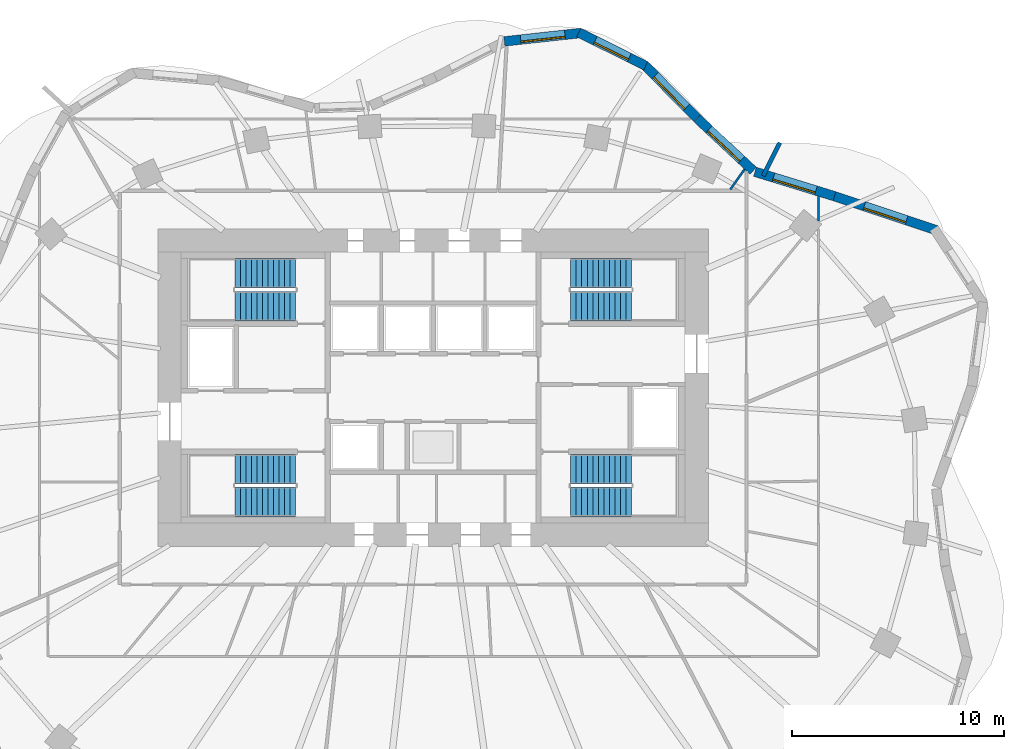
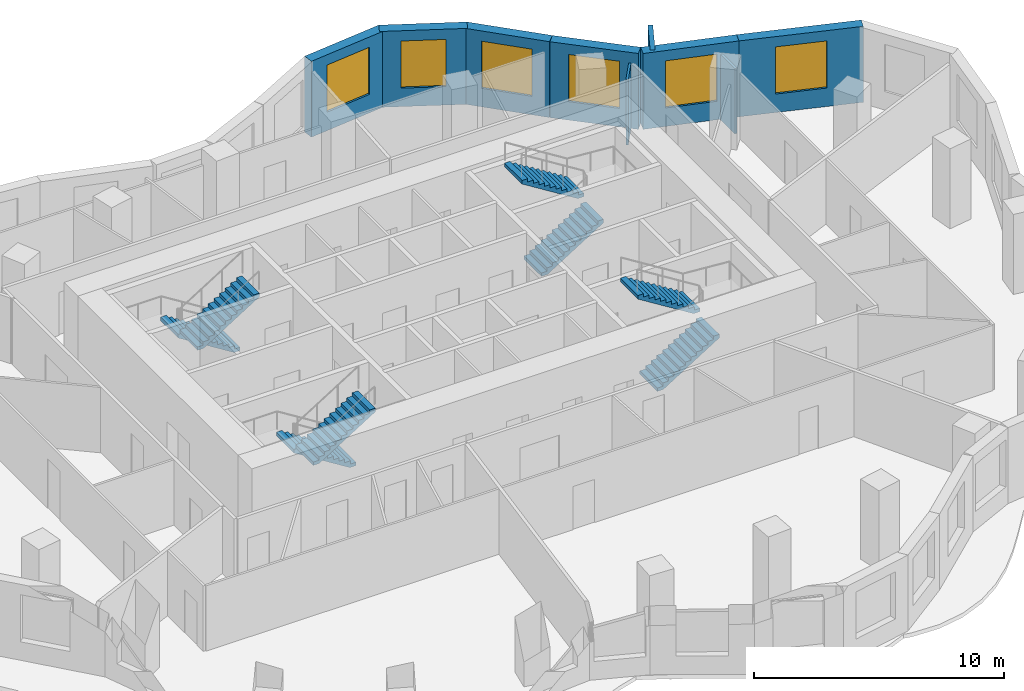
# One storey, part 8 of 10: 9 walls, 8 stair flights, 6 windows, 6 openings, 4 elements without a shape of their own.
"""IFC4 building model written with IfcOpenShell, lengths in metres."""

from ifc_helpers import new_model, si_unit, direction, frame, frame_2d, origin, place, context, subcontext, project, spatial, polyline, rectangle, outline, extrude, material, layer, layer_set, type_object, element, fill, aggregate, save


model = new_model("IFC4")

# Units and contexts
model_context = context("Model", 3, precision=1e-05, world=origin(), true_north=direction((0.0, 1.0)))
body_context = subcontext(model_context, "Body", "Model", "MODEL_VIEW")
ifc_project = project(units=[si_unit("LENGTHUNIT", "METRE"), si_unit("AREAUNIT", "SQUARE_METRE"), si_unit("VOLUMEUNIT", "CUBIC_METRE"), si_unit("PLANEANGLEUNIT", "RADIAN"), si_unit("MASSUNIT", "GRAM", prefix="KILO")], contexts=[model_context])

# Site, building, storey
site_placement = place(None, origin())
site = spatial("IfcSite", under=ifc_project, at=site_placement, CompositionType="ELEMENT")
building_placement = place(site_placement, origin())
building = spatial("IfcBuilding", under=site, at=building_placement, Name="Rubra Terraces Tower", CompositionType="ELEMENT")
storey_placement = place(building_placement, frame((0.0, 0.0, 134.39990234375)))
storey = spatial("IfcBuildingStorey", under=building, at=storey_placement, Name="L32", CompositionType="ELEMENT", Elevation=134.39990234375)

# Wall, opening, window
ifc_material_1 = material(Name="Brick masonry red-brown", Category="masonry")
ifc_layer_1 = layer(ifc_material_1, 0.449951171875)
ifc_layer_set_1 = layer_set([ifc_layer_1], Name="Brick masonry red-brown")
wall_type_1 = type_object("IfcWallType", Name="Brick facade wall 450", PredefinedType="SOLIDWALL", material=ifc_layer_set_1)
wall_1_placement = place(storey_placement, frame((23.769775390625, 11.93798828125, 0.0), z_axis=(0.0, 0.0, 1.0), x_axis=(-0.948673679101, 0.316256621402, 0.0)))
wall_1 = element("IfcWall", 1, at=wall_1_placement, inside=storey, type_object=wall_type_1, Name="Facade wall L32 bay 4", PredefinedType="SOLIDWALL", context=body_context, shape_type="SweptSolid", body=[
    extrude(rectangle(XDim=5.076416015625, YDim=0.449951171875, at=frame_2d((2.5380859375, 0.0))), origin(), (0.0, 0.0, 1.0), 3.7001953125),
])
opening_1_placement = place(wall_1_placement, frame((1.48828125, 0.0, 0.89990234375)))
opening_1 = element("IfcOpeningElement", 2, at=opening_1_placement, cuts=wall_1, Name="Opening W1B", PredefinedType="OPENING", context=body_context, shape_type="SweptSolid", body=[
    extrude(rectangle(XDim=2.10009765625, YDim=2.300048828125, at=frame_2d((1.050048828125, 1.14990234375))), frame((0.0, 0.23486328125, 0.0), z_axis=(0.0, -1.0, 0.0), x_axis=(1.0, 0.0, 0.0)), (0.0, 0.0, 1.0), 0.469970703125),
])
ifc_material_2 = material(Name="Clear glass in aluminium frame", Category="aluminium")
window_type_1 = type_object("IfcWindowType", Name="Fixed deep-set window tall storey 2100 x 2300", PartitioningType="SINGLE_PANEL", PredefinedType="WINDOW", material=ifc_material_2)
window_1_placement = place(opening_1_placement, origin())
window_1 = element("IfcWindow", 3, at=window_1_placement, inside=storey, type_object=window_type_1, Name="Window L32 bay 4", OverallHeight=2.300048828125, OverallWidth=2.10009765625, PartitioningType="SINGLE_PANEL", PredefinedType="WINDOW", context=body_context, shape_type="SweptSolid", body=[
    extrude(rectangle(XDim=2.10009765625, YDim=2.300048828125, at=frame_2d((1.050048828125, 1.14990234375))), frame((0.0, 0.135009765625, 0.0), z_axis=(0.0, -1.0, 0.0), x_axis=(1.0, 0.0, 0.0)), (0.0, 0.0, 1.0), 0.06005859375),
])
fill(opening_1, window_1)

wall_2_placement = place(storey_placement, frame((18.95751953125, 13.542236328125, 0.0), z_axis=(0.0, 0.0, 1.0), x_axis=(-0.955792437529, 0.294042201668, 0.0)))
wall_2 = element("IfcWall", 4, at=wall_2_placement, inside=storey, type_object=wall_type_1, Name="Facade wall L32 bay 5", PredefinedType="SOLIDWALL", context=body_context, shape_type="SweptSolid", body=[
    extrude(rectangle(XDim=3.9306640625, YDim=0.449951171875, at=frame_2d((1.96533203125, 0.0))), origin(), (0.0, 0.0, 1.0), 3.7001953125),
])
opening_2_placement = place(wall_2_placement, frame((0.915283203125, 0.0, 0.89990234375)))
opening_2 = element("IfcOpeningElement", 5, at=opening_2_placement, cuts=wall_2, Name="Opening W1B", PredefinedType="OPENING", context=body_context, shape_type="SweptSolid", body=[
    extrude(rectangle(XDim=2.10009765625, YDim=2.300048828125, at=frame_2d((1.050048828125, 1.14990234375))), frame((0.0, 0.23486328125, 0.0), z_axis=(0.0, -1.0, 0.0), x_axis=(1.0, 0.0, 0.0)), (0.0, 0.0, 1.0), 0.469970703125),
])
window_2_placement = place(opening_2_placement, origin())
window_2 = element("IfcWindow", 6, at=window_2_placement, inside=storey, type_object=window_type_1, Name="Window L32 bay 5", OverallHeight=2.300048828125, OverallWidth=2.10009765625, PartitioningType="SINGLE_PANEL", PredefinedType="WINDOW", context=body_context, shape_type="SweptSolid", body=[
    extrude(rectangle(XDim=2.10009765625, YDim=2.300048828125, at=frame_2d((1.050048828125, 1.14990234375))), frame((0.0, 0.135009765625, 0.0), z_axis=(0.0, -1.0, 0.0), x_axis=(1.0, 0.0, 0.0)), (0.0, 0.0, 1.0), 0.06005859375),
])
fill(opening_2, window_2)

wall_3_placement = place(storey_placement, frame((15.120849609375, 14.744873046875, 0.0), z_axis=(0.0, 0.0, 1.0), x_axis=(-0.730618259172, 0.68278617397, 0.0)))
wall_3 = element("IfcWall", 7, at=wall_3_placement, inside=storey, type_object=wall_type_1, Name="Facade wall L32 bay 6", PredefinedType="SOLIDWALL", context=body_context, shape_type="SweptSolid", body=[
    extrude(rectangle(XDim=3.6240234375, YDim=0.449951171875, at=frame_2d((1.81201171875, 0.0))), origin(), (0.0, 0.0, 1.0), 3.7001953125),
])
opening_3_placement = place(wall_3_placement, frame((0.76220703125, 0.0, 0.89990234375)))
opening_3 = element("IfcOpeningElement", 8, at=opening_3_placement, cuts=wall_3, Name="Opening W1B", PredefinedType="OPENING", context=body_context, shape_type="SweptSolid", body=[
    extrude(rectangle(XDim=2.10009765625, YDim=2.300048828125, at=frame_2d((1.050048828125, 1.14990234375))), frame((0.0, 0.23486328125, 0.0), z_axis=(0.0, -1.0, 0.0), x_axis=(1.0, 0.0, 0.0)), (0.0, 0.0, 1.0), 0.469970703125),
])
window_3_placement = place(opening_3_placement, origin())
window_3 = element("IfcWindow", 9, at=window_3_placement, inside=storey, type_object=window_type_1, Name="Window L32 bay 6", OverallHeight=2.300048828125, OverallWidth=2.10009765625, PartitioningType="SINGLE_PANEL", PredefinedType="WINDOW", context=body_context, shape_type="SweptSolid", body=[
    extrude(rectangle(XDim=2.10009765625, YDim=2.300048828125, at=frame_2d((1.050048828125, 1.14990234375))), frame((0.0, 0.135009765625, 0.0), z_axis=(0.0, -1.0, 0.0), x_axis=(1.0, 0.0, 0.0)), (0.0, 0.0, 1.0), 0.06005859375),
])
fill(opening_3, window_3)

wall_4_placement = place(storey_placement, frame((12.46630859375, 17.2255859375, 0.0), z_axis=(0.0, 0.0, 1.0), x_axis=(-0.701875966769, 0.712299183821, 0.0)))
wall_4 = element("IfcWall", 10, at=wall_4_placement, inside=storey, type_object=wall_type_1, Name="Facade wall L32 bay 7", PredefinedType="SOLIDWALL", context=body_context, shape_type="SweptSolid", body=[
    extrude(rectangle(XDim=3.536865234375, YDim=0.449951171875, at=frame_2d((1.7685546875, 0.0))), origin(), (0.0, 0.0, 1.0), 3.7001953125),
])
opening_4_placement = place(wall_4_placement, frame((0.71826171875, 0.0, 0.89990234375)))
opening_4 = element("IfcOpeningElement", 11, at=opening_4_placement, cuts=wall_4, Name="Opening W1B", PredefinedType="OPENING", context=body_context, shape_type="SweptSolid", body=[
    extrude(rectangle(XDim=2.10009765625, YDim=2.300048828125, at=frame_2d((1.050048828125, 1.14990234375))), frame((0.0, 0.23486328125, 0.0), z_axis=(0.0, -1.0, 0.0), x_axis=(1.0, 0.0, 0.0)), (0.0, 0.0, 1.0), 0.469970703125),
])
window_4_placement = place(opening_4_placement, origin())
window_4 = element("IfcWindow", 12, at=window_4_placement, inside=storey, type_object=window_type_1, Name="Window L32 bay 7", OverallHeight=2.300048828125, OverallWidth=2.10009765625, PartitioningType="SINGLE_PANEL", PredefinedType="WINDOW", context=body_context, shape_type="SweptSolid", body=[
    extrude(rectangle(XDim=2.10009765625, YDim=2.300048828125, at=frame_2d((1.050048828125, 1.14990234375))), frame((0.0, 0.135009765625, 0.0), z_axis=(0.0, -1.0, 0.0), x_axis=(1.0, 0.0, 0.0)), (0.0, 0.0, 1.0), 0.06005859375),
])
fill(opening_4, window_4)

wall_5_placement = place(storey_placement, frame((10.041748046875, 19.70361328125, 0.0), z_axis=(0.0, 0.0, 1.0), x_axis=(-0.895268695224, 0.445526613517, 0.0)))
wall_5 = element("IfcWall", 13, at=wall_5_placement, inside=storey, type_object=wall_type_1, Name="Facade wall L32 bay 8", PredefinedType="SOLIDWALL", context=body_context, shape_type="SweptSolid", body=[
    extrude(rectangle(XDim=3.532958984375, YDim=0.449951171875, at=frame_2d((1.7666015625, 0.0))), origin(), (0.0, 0.0, 1.0), 3.7001953125),
])
opening_5_placement = place(wall_5_placement, frame((0.866455078125, 0.0, 0.89990234375)))
opening_5 = element("IfcOpeningElement", 14, at=opening_5_placement, cuts=wall_5, Name="Opening W6B", PredefinedType="OPENING", context=body_context, shape_type="SweptSolid", body=[
    extrude(rectangle(XDim=1.800048828125, YDim=2.300048828125, at=frame_2d((0.89990234375, 1.14990234375))), frame((0.0, 0.23486328125, 0.0), z_axis=(0.0, -1.0, 0.0), x_axis=(1.0, 0.0, 0.0)), (0.0, 0.0, 1.0), 0.469970703125),
])
window_type_2 = type_object("IfcWindowType", Name="Fixed deep-set window at wind fin tall storey 1800 x 2300", PartitioningType="SINGLE_PANEL", PredefinedType="WINDOW", material=ifc_material_2)
window_5_placement = place(opening_5_placement, origin())
window_5 = element("IfcWindow", 15, at=window_5_placement, inside=storey, type_object=window_type_2, Name="Window L32 bay 8", OverallHeight=2.300048828125, OverallWidth=1.800048828125, PartitioningType="SINGLE_PANEL", PredefinedType="WINDOW", context=body_context, shape_type="SweptSolid", body=[
    extrude(rectangle(XDim=1.800048828125, YDim=2.300048828125, at=frame_2d((0.89990234375, 1.14990234375))), frame((0.0, 0.135009765625, 0.0), z_axis=(0.0, -1.0, 0.0), x_axis=(1.0, 0.0, 0.0)), (0.0, 0.0, 1.0), 0.06005859375),
])
fill(opening_5, window_5)

wall_6_placement = place(storey_placement, frame((7.00341796875, 21.25537109375, 0.0), z_axis=(0.0, 0.0, 1.0), x_axis=(-0.99407653264, -0.108682322638, 0.0)))
wall_6 = element("IfcWall", 16, at=wall_6_placement, inside=storey, type_object=wall_type_1, Name="Facade wall L32 bay 9", PredefinedType="SOLIDWALL", context=body_context, shape_type="SweptSolid", body=[
    extrude(rectangle(XDim=3.66162109375, YDim=0.449951171875, at=frame_2d((1.830810546875, 0.0))), origin(), (0.0, 0.0, 1.0), 3.7001953125),
])
opening_6_placement = place(wall_6_placement, frame((0.78076171875, 0.0, 0.89990234375)))
opening_6 = element("IfcOpeningElement", 17, at=opening_6_placement, cuts=wall_6, Name="Opening W1B", PredefinedType="OPENING", context=body_context, shape_type="SweptSolid", body=[
    extrude(rectangle(XDim=2.10009765625, YDim=2.300048828125, at=frame_2d((1.050048828125, 1.14990234375))), frame((0.0, 0.23486328125, 0.0), z_axis=(0.0, -1.0, 0.0), x_axis=(1.0, 0.0, 0.0)), (0.0, 0.0, 1.0), 0.469970703125),
])
window_6_placement = place(opening_6_placement, origin())
window_6 = element("IfcWindow", 18, at=window_6_placement, inside=storey, type_object=window_type_1, Name="Window L32 bay 9", OverallHeight=2.300048828125, OverallWidth=2.10009765625, PartitioningType="SINGLE_PANEL", PredefinedType="WINDOW", context=body_context, shape_type="SweptSolid", body=[
    extrude(rectangle(XDim=2.10009765625, YDim=2.300048828125, at=frame_2d((1.050048828125, 1.14990234375))), frame((0.0, 0.135009765625, 0.0), z_axis=(0.0, -1.0, 0.0), x_axis=(1.0, 0.0, 0.0)), (0.0, 0.0, 1.0), 0.06005859375),
])
fill(opening_6, window_6)

# Walls
ifc_layer_2 = layer(ifc_material_1, 0.199951171875)
ifc_layer_set_2 = layer_set([ifc_layer_2], Name="Brick masonry red-brown")
wall_type_2 = type_object("IfcWallType", Name="Brick wind fin 200", PredefinedType="SOLIDWALL", material=ifc_layer_set_2)
wall_7_placement = place(storey_placement, frame((15.5869140625, 14.507080078125, 0.0), z_axis=(0.0, 0.0, 1.0), x_axis=(0.452117231361, 0.89195852432, 0.0)))
element("IfcWall", 19, at=wall_7_placement, inside=storey, type_object=wall_type_2, Name="Wind fin L32 3", PredefinedType="SOLIDWALL", context=body_context, shape_type="SweptSolid", body=[
    extrude(rectangle(XDim=1.75, YDim=0.199951171875, at=frame_2d((0.875, 0.0))), origin(), (0.0, 0.0, 1.0), 3.7001953125),
])
ifc_material_3 = material(Name="Plasterboard on steel stud", Category="steel")
ifc_layer_3 = layer(ifc_material_3, 0.10009765625)
ifc_layer_set_3 = layer_set([ifc_layer_3], Name="Plasterboard on steel stud")
wall_type_3 = type_object("IfcWallType", Name="ROOM PARTITION 100", PredefinedType="PARTITIONING", material=ifc_layer_set_3)
wall_8_placement = place(storey_placement, frame((18.199951171875, 13.51904296875, 0.0), z_axis=(0.0, 0.0, 1.0), x_axis=(0.0, -1.0, 0.0)))
element("IfcWall", 20, at=wall_8_placement, inside=storey, type_object=wall_type_3, Name="PARTITION", PredefinedType="PARTITIONING", context=body_context, shape_type="SweptSolid", body=[
    extrude(rectangle(XDim=1.1376953125, YDim=0.10009765625, at=frame_2d((0.56884765625, 0.0))), origin(), (0.0, 0.0, 1.0), 3.18408203125),
])
wall_9_placement = place(storey_placement, frame((14.03515625, 13.861083984375, 0.0), z_axis=(0.0, 0.0, 1.0), x_axis=(0.57745118401, 0.816425214019, 0.0)))
element("IfcWall", 21, at=wall_9_placement, inside=storey, type_object=wall_type_3, Name="PARTITION", PredefinedType="PARTITIONING", context=body_context, shape_type="SweptSolid", body=[
    extrude(rectangle(XDim=1.1728515625, YDim=0.10009765625, at=frame_2d((0.58642578125, 0.0))), origin(), (0.0, 0.0, 1.0), 3.18408203125),
])

# Stair, stair flights
ifc_material_4 = material(Name="Concrete C40", Category="concrete")
stair_type = type_object("IfcStairType", Name="Core stair 1400", PredefinedType="HALF_TURN_STAIR", material=ifc_material_4)
stair_1_placement = place(storey_placement, origin())
stair_1 = element("IfcStair", 22, at=stair_1_placement, inside=storey, type_object=stair_type, Name="L32 Exit stair S1", PredefinedType="HALF_TURN_STAIR")
stair_flight_type = type_object("IfcStairFlightType", Name="Core stair flight 1400", PredefinedType="STRAIGHT", material=ifc_material_4)
stair_flight_1_placement = place(storey_placement, frame((-6.5, 0.64990234375, 0.0), z_axis=(0.0, 0.0, 1.0), x_axis=(-1.0, 0.0, 0.0)))
stair_flight_1 = element("IfcStairFlight", 23, at=stair_flight_1_placement, type_object=stair_flight_type, Name="S1 flight 1", NumberOfRisers=12, NumberOfTreads=11, PredefinedType="STRAIGHT", RiserHeight=0.1625, TreadLength=0.26, context=body_context, shape_type="SweptSolid", body=[
    extrude(outline(polyline([(0.0, 0.0), (0.0, 0.16259765625), (0.260009765625, 0.16259765625), (0.260009765625, 0.324951171875), (0.52001953125, 0.324951171875), (0.52001953125, 0.487548828125), (0.780029296875, 0.487548828125), (0.780029296875, 0.64990234375), (1.0400390625, 0.64990234375), (1.0400390625, 0.8125), (1.300048828125, 0.8125), (1.300048828125, 0.97509765625), (1.56005859375, 0.97509765625), (1.56005859375, 1.137451171875), (1.820068359375, 1.137451171875), (1.820068359375, 1.300048828125), (2.080078125, 1.300048828125), (2.080078125, 1.46240234375), (2.340087890625, 1.46240234375), (2.340087890625, 1.625), (2.60009765625, 1.625), (2.60009765625, 1.78759765625), (2.860107421875, 1.78759765625), (2.860107421875, 1.949951171875), (2.860107421875, 1.61083984375), (0.28271484375, 0.0), (0.0, 0.0)])), frame((0.0, 0.699951171875, 0.0), z_axis=(0.0, -1.0, 0.0), x_axis=(1.0, 0.0, 0.0)), (0.0, 0.0, 1.0), 1.39990234375),
])
stair_flight_2_placement = place(storey_placement, frame((-9.360107421875, -0.89990234375, 1.9501953125), z_axis=(0.0, 0.0, 1.0), x_axis=(1.0, 0.0, 0.0)))
stair_flight_2 = element("IfcStairFlight", 24, at=stair_flight_2_placement, type_object=stair_flight_type, Name="S1 flight 2", NumberOfRisers=12, NumberOfTreads=11, PredefinedType="STRAIGHT", RiserHeight=0.1625, TreadLength=0.26, context=body_context, shape_type="SweptSolid", body=[
    extrude(outline(polyline([(0.0, 0.0), (0.0, 0.16259765625), (0.260009765625, 0.16259765625), (0.260009765625, 0.324951171875), (0.52001953125, 0.324951171875), (0.52001953125, 0.487548828125), (0.780029296875, 0.487548828125), (0.780029296875, 0.64990234375), (1.0400390625, 0.64990234375), (1.0400390625, 0.8125), (1.300048828125, 0.8125), (1.300048828125, 0.97509765625), (1.56005859375, 0.97509765625), (1.56005859375, 1.137451171875), (1.820068359375, 1.137451171875), (1.820068359375, 1.300048828125), (2.080078125, 1.300048828125), (2.080078125, 1.46240234375), (2.340087890625, 1.46240234375), (2.340087890625, 1.625), (2.60009765625, 1.625), (2.60009765625, 1.78759765625), (2.860107421875, 1.78759765625), (2.860107421875, 1.949951171875), (2.860107421875, 1.61083984375), (0.28271484375, 0.0), (0.0, 0.0)])), frame((0.0, 0.699951171875, 0.0), z_axis=(0.0, -1.0, 0.0), x_axis=(1.0, 0.0, 0.0)), (0.0, 0.0, 1.0), 1.39990234375),
])
aggregate(stair_1, [stair_flight_1, stair_flight_2])

stair_2_placement = place(storey_placement, origin())
stair_2 = element("IfcStair", 25, at=stair_2_placement, inside=storey, type_object=stair_type, Name="L32 Exit stair S2", PredefinedType="HALF_TURN_STAIR")
stair_flight_3_placement = place(storey_placement, frame((-6.5, 9.89990234375, 0.0), z_axis=(0.0, 0.0, 1.0), x_axis=(-1.0, 0.0, 0.0)))
stair_flight_3 = element("IfcStairFlight", 26, at=stair_flight_3_placement, type_object=stair_flight_type, Name="S2 flight 1", NumberOfRisers=12, NumberOfTreads=11, PredefinedType="STRAIGHT", RiserHeight=0.1625, TreadLength=0.26, context=body_context, shape_type="SweptSolid", body=[
    extrude(outline(polyline([(0.0, 0.0), (0.0, 0.16259765625), (0.260009765625, 0.16259765625), (0.260009765625, 0.324951171875), (0.52001953125, 0.324951171875), (0.52001953125, 0.487548828125), (0.780029296875, 0.487548828125), (0.780029296875, 0.64990234375), (1.0400390625, 0.64990234375), (1.0400390625, 0.8125), (1.300048828125, 0.8125), (1.300048828125, 0.97509765625), (1.56005859375, 0.97509765625), (1.56005859375, 1.137451171875), (1.820068359375, 1.137451171875), (1.820068359375, 1.300048828125), (2.080078125, 1.300048828125), (2.080078125, 1.46240234375), (2.340087890625, 1.46240234375), (2.340087890625, 1.625), (2.60009765625, 1.625), (2.60009765625, 1.78759765625), (2.860107421875, 1.78759765625), (2.860107421875, 1.949951171875), (2.860107421875, 1.61083984375), (0.28271484375, 0.0), (0.0, 0.0)])), frame((0.0, 0.699951171875, 0.0), z_axis=(0.0, -1.0, 0.0), x_axis=(1.0, 0.0, 0.0)), (0.0, 0.0, 1.0), 1.39990234375),
])
stair_flight_4_placement = place(storey_placement, frame((-9.360107421875, 8.35009765625, 1.9501953125), z_axis=(0.0, 0.0, 1.0), x_axis=(1.0, 0.0, 0.0)))
stair_flight_4 = element("IfcStairFlight", 27, at=stair_flight_4_placement, type_object=stair_flight_type, Name="S2 flight 2", NumberOfRisers=12, NumberOfTreads=11, PredefinedType="STRAIGHT", RiserHeight=0.1625, TreadLength=0.26, context=body_context, shape_type="SweptSolid", body=[
    extrude(outline(polyline([(0.0, 0.0), (0.0, 0.16259765625), (0.260009765625, 0.16259765625), (0.260009765625, 0.324951171875), (0.52001953125, 0.324951171875), (0.52001953125, 0.487548828125), (0.780029296875, 0.487548828125), (0.780029296875, 0.64990234375), (1.0400390625, 0.64990234375), (1.0400390625, 0.8125), (1.300048828125, 0.8125), (1.300048828125, 0.97509765625), (1.56005859375, 0.97509765625), (1.56005859375, 1.137451171875), (1.820068359375, 1.137451171875), (1.820068359375, 1.300048828125), (2.080078125, 1.300048828125), (2.080078125, 1.46240234375), (2.340087890625, 1.46240234375), (2.340087890625, 1.625), (2.60009765625, 1.625), (2.60009765625, 1.78759765625), (2.860107421875, 1.78759765625), (2.860107421875, 1.949951171875), (2.860107421875, 1.61083984375), (0.28271484375, 0.0), (0.0, 0.0)])), frame((0.0, 0.699951171875, 0.0), z_axis=(0.0, -1.0, 0.0), x_axis=(1.0, 0.0, 0.0)), (0.0, 0.0, 1.0), 1.39990234375),
])
aggregate(stair_2, [stair_flight_3, stair_flight_4])

stair_3_placement = place(storey_placement, origin())
stair_3 = element("IfcStair", 28, at=stair_3_placement, inside=storey, type_object=stair_type, Name="L32 Exit stair S3", PredefinedType="HALF_TURN_STAIR")
stair_flight_5_placement = place(storey_placement, frame((6.5, 8.35009765625, 0.0), z_axis=(0.0, 0.0, 1.0), x_axis=(1.0, 0.0, 0.0)))
stair_flight_5 = element("IfcStairFlight", 29, at=stair_flight_5_placement, type_object=stair_flight_type, Name="S3 flight 1", NumberOfRisers=12, NumberOfTreads=11, PredefinedType="STRAIGHT", RiserHeight=0.1625, TreadLength=0.26, context=body_context, shape_type="SweptSolid", body=[
    extrude(outline(polyline([(0.0, 0.0), (0.0, 0.16259765625), (0.260009765625, 0.16259765625), (0.260009765625, 0.324951171875), (0.52001953125, 0.324951171875), (0.52001953125, 0.487548828125), (0.780029296875, 0.487548828125), (0.780029296875, 0.64990234375), (1.0400390625, 0.64990234375), (1.0400390625, 0.8125), (1.300048828125, 0.8125), (1.300048828125, 0.97509765625), (1.56005859375, 0.97509765625), (1.56005859375, 1.137451171875), (1.820068359375, 1.137451171875), (1.820068359375, 1.300048828125), (2.080078125, 1.300048828125), (2.080078125, 1.46240234375), (2.340087890625, 1.46240234375), (2.340087890625, 1.625), (2.60009765625, 1.625), (2.60009765625, 1.78759765625), (2.860107421875, 1.78759765625), (2.860107421875, 1.949951171875), (2.860107421875, 1.61083984375), (0.28271484375, 0.0), (0.0, 0.0)])), frame((0.0, 0.699951171875, 0.0), z_axis=(0.0, -1.0, 0.0), x_axis=(1.0, 0.0, 0.0)), (0.0, 0.0, 1.0), 1.39990234375),
])
stair_flight_6_placement = place(storey_placement, frame((9.360107421875, 9.89990234375, 1.9501953125), z_axis=(0.0, 0.0, 1.0), x_axis=(-1.0, 0.0, 0.0)))
stair_flight_6 = element("IfcStairFlight", 30, at=stair_flight_6_placement, type_object=stair_flight_type, Name="S3 flight 2", NumberOfRisers=12, NumberOfTreads=11, PredefinedType="STRAIGHT", RiserHeight=0.1625, TreadLength=0.26, context=body_context, shape_type="SweptSolid", body=[
    extrude(outline(polyline([(0.0, 0.0), (0.0, 0.16259765625), (0.260009765625, 0.16259765625), (0.260009765625, 0.324951171875), (0.52001953125, 0.324951171875), (0.52001953125, 0.487548828125), (0.780029296875, 0.487548828125), (0.780029296875, 0.64990234375), (1.0400390625, 0.64990234375), (1.0400390625, 0.8125), (1.300048828125, 0.8125), (1.300048828125, 0.97509765625), (1.56005859375, 0.97509765625), (1.56005859375, 1.137451171875), (1.820068359375, 1.137451171875), (1.820068359375, 1.300048828125), (2.080078125, 1.300048828125), (2.080078125, 1.46240234375), (2.340087890625, 1.46240234375), (2.340087890625, 1.625), (2.60009765625, 1.625), (2.60009765625, 1.78759765625), (2.860107421875, 1.78759765625), (2.860107421875, 1.949951171875), (2.860107421875, 1.61083984375), (0.28271484375, 0.0), (0.0, 0.0)])), frame((0.0, 0.699951171875, 0.0), z_axis=(0.0, -1.0, 0.0), x_axis=(1.0, 0.0, 0.0)), (0.0, 0.0, 1.0), 1.39990234375),
])
aggregate(stair_3, [stair_flight_5, stair_flight_6])

stair_4_placement = place(storey_placement, origin())
stair_4 = element("IfcStair", 31, at=stair_4_placement, inside=storey, type_object=stair_type, Name="L32 Exit stair S4", PredefinedType="HALF_TURN_STAIR")
stair_flight_7_placement = place(storey_placement, frame((6.5, -0.89990234375, 0.0), z_axis=(0.0, 0.0, 1.0), x_axis=(1.0, 0.0, 0.0)))
stair_flight_7 = element("IfcStairFlight", 32, at=stair_flight_7_placement, type_object=stair_flight_type, Name="S4 flight 1", NumberOfRisers=12, NumberOfTreads=11, PredefinedType="STRAIGHT", RiserHeight=0.1625, TreadLength=0.26, context=body_context, shape_type="SweptSolid", body=[
    extrude(outline(polyline([(0.0, 0.0), (0.0, 0.16259765625), (0.260009765625, 0.16259765625), (0.260009765625, 0.324951171875), (0.52001953125, 0.324951171875), (0.52001953125, 0.487548828125), (0.780029296875, 0.487548828125), (0.780029296875, 0.64990234375), (1.0400390625, 0.64990234375), (1.0400390625, 0.8125), (1.300048828125, 0.8125), (1.300048828125, 0.97509765625), (1.56005859375, 0.97509765625), (1.56005859375, 1.137451171875), (1.820068359375, 1.137451171875), (1.820068359375, 1.300048828125), (2.080078125, 1.300048828125), (2.080078125, 1.46240234375), (2.340087890625, 1.46240234375), (2.340087890625, 1.625), (2.60009765625, 1.625), (2.60009765625, 1.78759765625), (2.860107421875, 1.78759765625), (2.860107421875, 1.949951171875), (2.860107421875, 1.61083984375), (0.28271484375, 0.0), (0.0, 0.0)])), frame((0.0, 0.699951171875, 0.0), z_axis=(0.0, -1.0, 0.0), x_axis=(1.0, 0.0, 0.0)), (0.0, 0.0, 1.0), 1.39990234375),
])
stair_flight_8_placement = place(storey_placement, frame((9.360107421875, 0.64990234375, 1.9501953125), z_axis=(0.0, 0.0, 1.0), x_axis=(-1.0, 0.0, 0.0)))
stair_flight_8 = element("IfcStairFlight", 33, at=stair_flight_8_placement, type_object=stair_flight_type, Name="S4 flight 2", NumberOfRisers=12, NumberOfTreads=11, PredefinedType="STRAIGHT", RiserHeight=0.1625, TreadLength=0.26, context=body_context, shape_type="SweptSolid", body=[
    extrude(outline(polyline([(0.0, 0.0), (0.0, 0.16259765625), (0.260009765625, 0.16259765625), (0.260009765625, 0.324951171875), (0.52001953125, 0.324951171875), (0.52001953125, 0.487548828125), (0.780029296875, 0.487548828125), (0.780029296875, 0.64990234375), (1.0400390625, 0.64990234375), (1.0400390625, 0.8125), (1.300048828125, 0.8125), (1.300048828125, 0.97509765625), (1.56005859375, 0.97509765625), (1.56005859375, 1.137451171875), (1.820068359375, 1.137451171875), (1.820068359375, 1.300048828125), (2.080078125, 1.300048828125), (2.080078125, 1.46240234375), (2.340087890625, 1.46240234375), (2.340087890625, 1.625), (2.60009765625, 1.625), (2.60009765625, 1.78759765625), (2.860107421875, 1.78759765625), (2.860107421875, 1.949951171875), (2.860107421875, 1.61083984375), (0.28271484375, 0.0), (0.0, 0.0)])), frame((0.0, 0.699951171875, 0.0), z_axis=(0.0, -1.0, 0.0), x_axis=(1.0, 0.0, 0.0)), (0.0, 0.0, 1.0), 1.39990234375),
])
aggregate(stair_4, [stair_flight_7, stair_flight_8])

save(model, "model.ifc")
